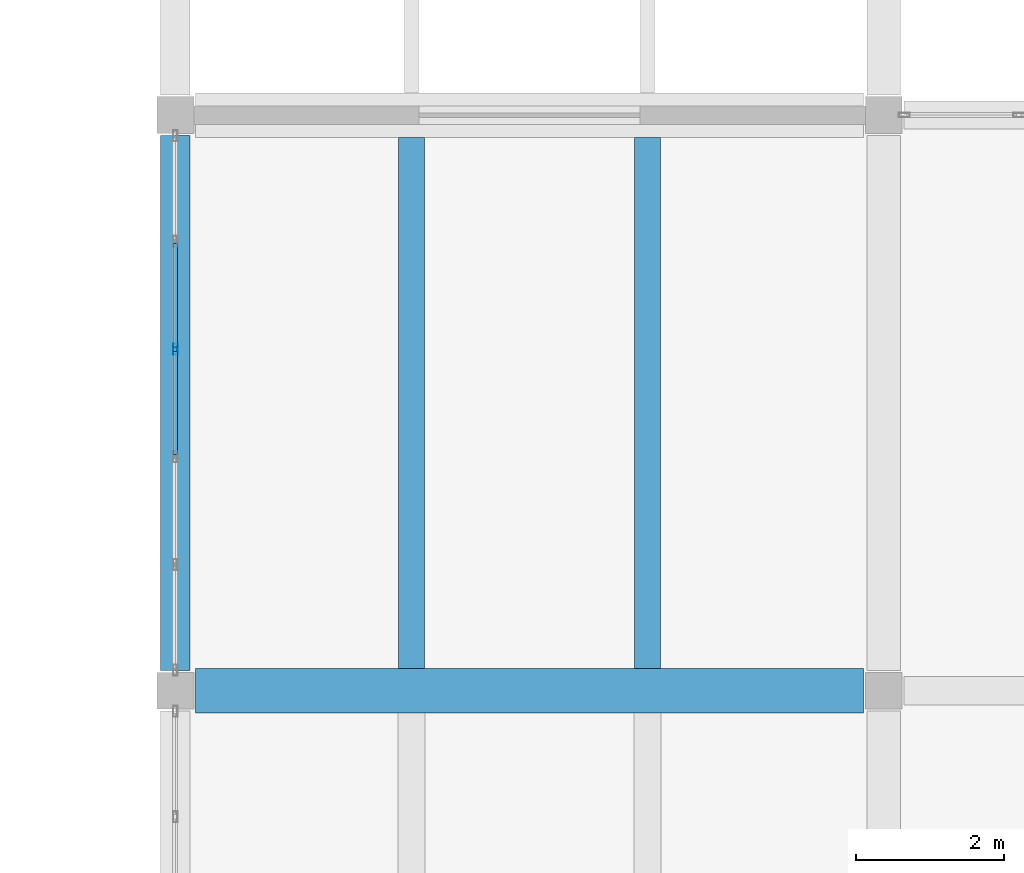
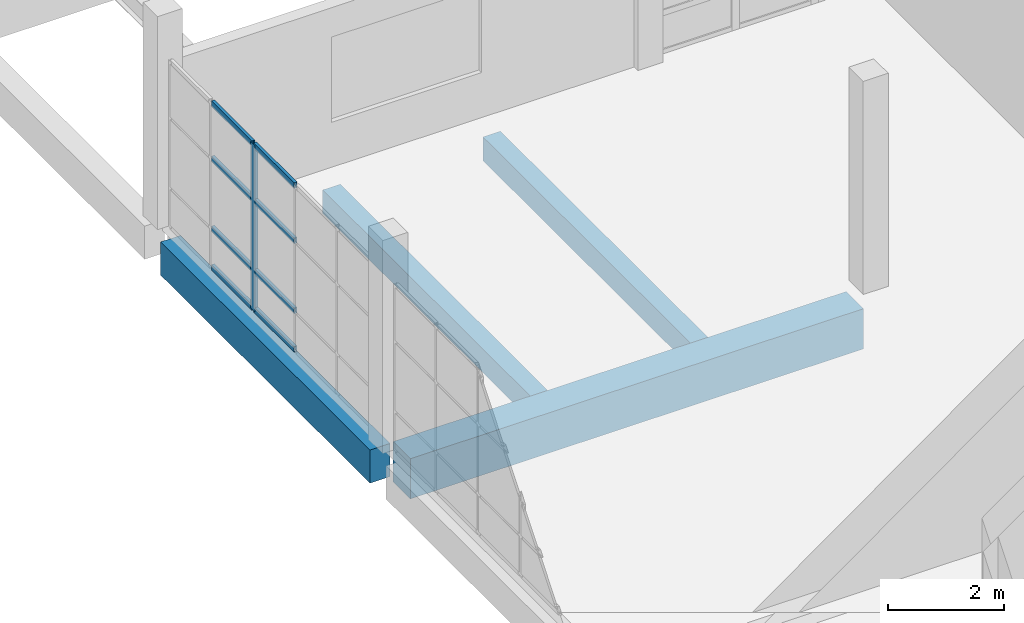
# One storey, part 27 of 53: 9 members, 4 beams, 1 element without a shape of its own.
"""IFC4 building model written with IfcOpenShell, lengths in metres."""

from ifc_helpers import new_model, si_unit, direction, frame, origin, origin_2d, place, context, subcontext, project, spatial, rectangle, hollow_rectangle, extrude, material, material_profile, profile_set, type_object, element, aggregate, save


model = new_model("IFC4")

# Units and contexts
model_context = context("Model", 3, precision=1e-05, world=origin(), true_north=direction((0.0, 1.0)))
body_context = subcontext(model_context, "Body", "Model", "MODEL_VIEW")
ifc_project = project(units=[si_unit("LENGTHUNIT", "METRE"), si_unit("AREAUNIT", "SQUARE_METRE"), si_unit("VOLUMEUNIT", "CUBIC_METRE"), si_unit("PLANEANGLEUNIT", "RADIAN"), si_unit("MASSUNIT", "GRAM", prefix="KILO")], contexts=[model_context])

# Site, building, storey
site_placement = place(None, origin())
site = spatial("IfcSite", under=ifc_project, at=site_placement, CompositionType="ELEMENT")
building_placement = place(site_placement, origin())
building = spatial("IfcBuilding", under=site, at=building_placement, Name="Pellamere Symphony Hall", CompositionType="ELEMENT")
storey_placement = place(building_placement, frame((0.0, 0.0, 24.0)))
storey = spatial("IfcBuildingStorey", under=building, at=storey_placement, Name="L05", CompositionType="ELEMENT", Elevation=24.0)

# Curtain wall, members
ifc_material_1 = material(Name="Thermally Broken Anodised Aluminium 6063-T6 Curtain Wall", Category="aluminium")
curtain_wall_type = type_object("IfcCurtainWallType", Name="Curtain Wall CW-05 (Artists Wing North Studio Ribbon Curtain Wall)", PredefinedType="NOTDEFINED", material=ifc_material_1)
curtain_wall_placement = place(storey_placement, origin())
curtain_wall = element("IfcCurtainWall", 1, at=curtain_wall_placement, inside=storey, type_object=curtain_wall_type, Name="Sculpture Court East Wing Curtain Wall (L05 Bay 2)", PredefinedType="NOTDEFINED")
ifc_material_2 = material(Name="Anodised Architectural Aluminium 6063-T6", Category="aluminium")
ifc_material_profile_1 = material_profile(ifc_material_2, hollow_rectangle(XDim=0.06005859375, YDim=0.14990234375, WallThickness=0.00390625, at=origin_2d()), Name="ALU-M60X150X4")
ifc_profile_set_1 = profile_set([ifc_material_profile_1], Name="Anodised Architectural Aluminium 6063-T6")
member_type_1 = type_object("IfcMemberType", Name="Curtain Wall Mullion ML-03 ALU-M60X150X4", PredefinedType="MULLION", material=ifc_profile_set_1)
member_1_placement = place(storey_placement, frame((138.0, 74.22998046875, 0.0), z_axis=(0.0, 0.0, 1.0), x_axis=(-1.0, 0.0, 0.0)))
member_1 = element("IfcMember", 2, at=member_1_placement, type_object=member_type_1, Name="CW5-151 crystal mullion 4", PredefinedType="MULLION", context=body_context, shape_type="SweptSolid", body=[
    extrude(hollow_rectangle(XDim=0.06005859375, YDim=0.14990234375, WallThickness=0.00390625, at=origin_2d()), origin(), (0.0, 0.0, 1.0), 3.52001953125),
])
ifc_material_profile_2 = material_profile(ifc_material_2, hollow_rectangle(XDim=0.06005859375, YDim=0.1201171875, WallThickness=0.00390625, at=origin_2d()), Name="ALU-T60X120X4")
ifc_profile_set_2 = profile_set([ifc_material_profile_2], Name="Anodised Architectural Aluminium 6063-T6")
member_type_2 = type_object("IfcMemberType", Name="Curtain Wall Transom TR-03 ALU-T60X120X4", PredefinedType="USERDEFINED", material=ifc_profile_set_2)
member_2_placement = place(storey_placement, frame((138.0, 72.800048828125, 0.030029296875), z_axis=(0.0, 1.0, 0.0), x_axis=(-1.0, 0.0, 0.0)))
member_2 = element("IfcMember", 3, at=member_2_placement, type_object=member_type_2, Name="CW5-151 crystal transom 3.1", ObjectType="TRANSOM", PredefinedType="USERDEFINED", context=body_context, shape_type="SweptSolid", body=[
    extrude(hollow_rectangle(XDim=0.06005859375, YDim=0.1201171875, WallThickness=0.00390625, at=origin_2d()), origin(), (0.0, 0.0, 1.0), 1.39990234375),
])
member_3_placement = place(storey_placement, frame((138.0, 72.800048828125, 0.8447265625), z_axis=(0.0, 1.0, 0.0), x_axis=(-1.0, 0.0, 0.0)))
member_3 = element("IfcMember", 4, at=member_3_placement, type_object=member_type_2, Name="CW5-151 crystal transom 3.2", ObjectType="TRANSOM", PredefinedType="USERDEFINED", context=body_context, shape_type="SweptSolid", body=[
    extrude(hollow_rectangle(XDim=0.06005859375, YDim=0.1201171875, WallThickness=0.00390625, at=origin_2d()), origin(), (0.0, 0.0, 1.0), 1.39990234375),
])
member_4_placement = place(storey_placement, frame((138.0, 72.800048828125, 2.3232421875), z_axis=(0.0, 1.0, 0.0), x_axis=(-1.0, 0.0, 0.0)))
member_4 = element("IfcMember", 5, at=member_4_placement, type_object=member_type_2, Name="CW5-151 crystal transom 3.3", ObjectType="TRANSOM", PredefinedType="USERDEFINED", context=body_context, shape_type="SweptSolid", body=[
    extrude(hollow_rectangle(XDim=0.06005859375, YDim=0.1201171875, WallThickness=0.00390625, at=origin_2d()), origin(), (0.0, 0.0, 1.0), 1.39990234375),
])
member_5_placement = place(storey_placement, frame((138.0, 72.800048828125, 3.489990234375), z_axis=(0.0, 1.0, 0.0), x_axis=(-1.0, 0.0, 0.0)))
member_5 = element("IfcMember", 6, at=member_5_placement, type_object=member_type_2, Name="CW5-151 crystal transom 3.4", ObjectType="TRANSOM", PredefinedType="USERDEFINED", context=body_context, shape_type="SweptSolid", body=[
    extrude(hollow_rectangle(XDim=0.06005859375, YDim=0.1201171875, WallThickness=0.00390625, at=origin_2d()), origin(), (0.0, 0.0, 1.0), 1.39990234375),
])
member_6_placement = place(storey_placement, frame((138.0, 74.260009765625, 0.030029296875), z_axis=(0.0, 1.0, 0.0), x_axis=(-1.0, 0.0, 0.0)))
member_6 = element("IfcMember", 7, at=member_6_placement, type_object=member_type_2, Name="CW5-151 crystal transom 4.1", ObjectType="TRANSOM", PredefinedType="USERDEFINED", context=body_context, shape_type="SweptSolid", body=[
    extrude(hollow_rectangle(XDim=0.06005859375, YDim=0.1201171875, WallThickness=0.00390625, at=origin_2d()), origin(), (0.0, 0.0, 1.0), 1.39990234375),
])
member_7_placement = place(storey_placement, frame((138.0, 74.260009765625, 0.8447265625), z_axis=(0.0, 1.0, 0.0), x_axis=(-1.0, 0.0, 0.0)))
member_7 = element("IfcMember", 8, at=member_7_placement, type_object=member_type_2, Name="CW5-151 crystal transom 4.2", ObjectType="TRANSOM", PredefinedType="USERDEFINED", context=body_context, shape_type="SweptSolid", body=[
    extrude(hollow_rectangle(XDim=0.06005859375, YDim=0.1201171875, WallThickness=0.00390625, at=origin_2d()), origin(), (0.0, 0.0, 1.0), 1.39990234375),
])
member_8_placement = place(storey_placement, frame((138.0, 74.260009765625, 2.3232421875), z_axis=(0.0, 1.0, 0.0), x_axis=(-1.0, 0.0, 0.0)))
member_8 = element("IfcMember", 9, at=member_8_placement, type_object=member_type_2, Name="CW5-151 crystal transom 4.3", ObjectType="TRANSOM", PredefinedType="USERDEFINED", context=body_context, shape_type="SweptSolid", body=[
    extrude(hollow_rectangle(XDim=0.06005859375, YDim=0.1201171875, WallThickness=0.00390625, at=origin_2d()), origin(), (0.0, 0.0, 1.0), 1.39990234375),
])
member_9_placement = place(storey_placement, frame((138.0, 74.260009765625, 3.489990234375), z_axis=(0.0, 1.0, 0.0), x_axis=(-1.0, 0.0, 0.0)))
member_9 = element("IfcMember", 10, at=member_9_placement, type_object=member_type_2, Name="CW5-151 crystal transom 4.4", ObjectType="TRANSOM", PredefinedType="USERDEFINED", context=body_context, shape_type="SweptSolid", body=[
    extrude(hollow_rectangle(XDim=0.06005859375, YDim=0.1201171875, WallThickness=0.00390625, at=origin_2d()), origin(), (0.0, 0.0, 1.0), 1.39990234375),
])
aggregate(curtain_wall, [member_1, member_2, member_3, member_4, member_5, member_6, member_7, member_8, member_9])

# Beams
ifc_material_3 = material(Name="Concrete 40 MPa", Category="concrete")
ifc_material_profile_3 = material_profile(ifc_material_3, rectangle(XDim=0.60009765625, YDim=0.85009765625, at=origin_2d()), Name="RC 600x850")
ifc_profile_set_3 = profile_set([ifc_material_profile_3], Name="Concrete 40 MPa")
beam_type_1 = type_object("IfcBeamType", Name="RC CB-04 600x850", PredefinedType="BEAM", material=ifc_profile_set_3)
beam_1_placement = place(storey_placement, frame((138.27490234375, 69.60009765625, -0.68505859375), z_axis=(1.0, 0.0, 0.0), x_axis=(0.0, 1.0, 0.0)))
element("IfcBeam", 11, at=beam_1_placement, inside=storey, type_object=beam_type_1, Name="Girder CB-04-X2047 (L05)", PredefinedType="BEAM", context=body_context, shape_type="SweptSolid", body=[
    extrude(rectangle(XDim=0.60009765625, YDim=0.85009765625, at=origin_2d()), origin(), (0.0, 0.0, 1.0), 9.050048828125),
])
ifc_material_4 = material(Name="Concrete 35 MPa", Category="concrete")
ifc_material_profile_4 = material_profile(ifc_material_4, rectangle(XDim=0.35009765625, YDim=0.5, at=origin_2d()), Name="RC 350x500")
ifc_profile_set_4 = profile_set([ifc_material_profile_4], Name="Concrete 35 MPa")
beam_type_2 = type_object("IfcBeamType", Name="RC CB-11 350x500", PredefinedType="BEAM", material=ifc_profile_set_4)
for number, where, z_axis, x_axis, name in (
    (12, (141.199951171875, 69.89990234375, -0.52490234375), (0.0, 1.0, 0.0), (-1.0, 0.0, 0.0), "Secondary Floor Beam CB-11-A1709 (L05)"),
    (13, (144.39990234375, 69.89990234375, -0.52490234375), (0.0, 1.0, 0.0), (-1.0, 0.0, 0.0), "Secondary Floor Beam CB-11-B1709 (L05)"),
):
    element("IfcBeam", number, at=place(storey_placement, frame(where, z_axis=z_axis, x_axis=x_axis)), inside=storey, type_object=beam_type_2, Name=name, PredefinedType="BEAM", context=body_context, shape_type="SweptSolid", body=[
        extrude(rectangle(XDim=0.35009765625, YDim=0.5, at=origin_2d()), origin(), (0.0, 0.0, 1.0), 7.2001953125),
    ])
ifc_material_profile_5 = material_profile(ifc_material_3, rectangle(XDim=0.39990234375, YDim=0.699951171875, at=origin_2d()), Name="RC 400x700")
ifc_profile_set_5 = profile_set([ifc_material_profile_5], Name="Concrete 40 MPa")
beam_type_3 = type_object("IfcBeamType", Name="RC CB-13 400x700", PredefinedType="SPANDREL", material=ifc_profile_set_5)
beam_2_placement = place(storey_placement, frame((138.0, 69.875, -0.610107421875), z_axis=(0.0, 1.0, 0.0), x_axis=(-1.0, 0.0, 0.0)))
element("IfcBeam", 14, at=beam_2_placement, inside=storey, type_object=beam_type_3, Name="Girder CB-13-Y2113 (L05)", PredefinedType="SPANDREL", context=body_context, shape_type="SweptSolid", body=[
    extrude(rectangle(XDim=0.39990234375, YDim=0.699951171875, at=origin_2d()), origin(), (0.0, 0.0, 1.0), 7.25),
])

save(model, "model.ifc")
